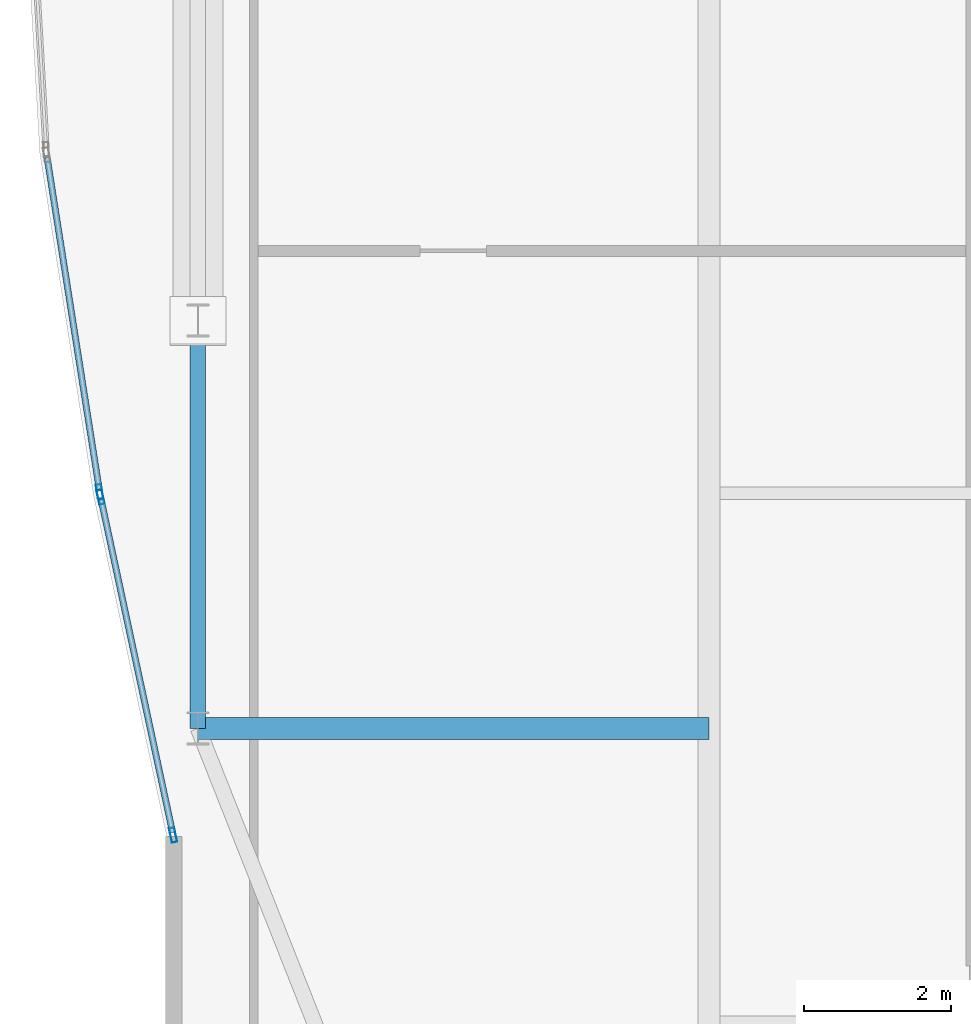
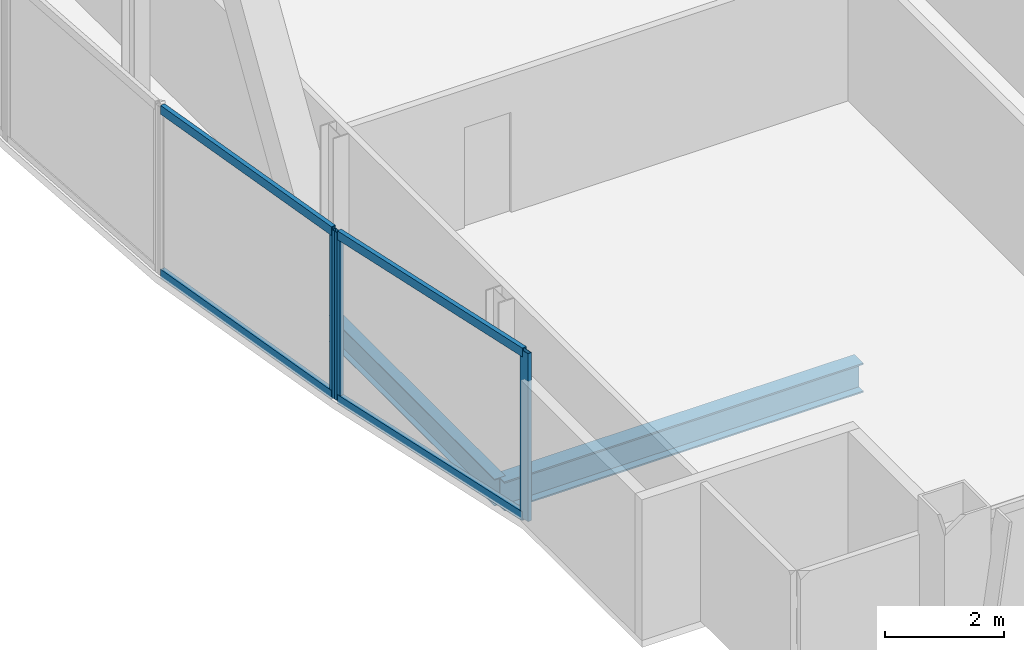
# One storey, part 5 of 29: 7 members, 2 beams, 2 elements without a shape of their own.
"""IFC4 building model written with IfcOpenShell, lengths in metres."""

from ifc_helpers import new_model, si_unit, direction, frame, origin, origin_2d, place, context, subcontext, project, spatial, hollow_rectangle, i_section, extrude, material, material_profile, profile_set, type_object, element, aggregate, save


model = new_model("IFC4")

# Units and contexts
model_context = context("Model", 3, precision=1e-05, world=origin(), true_north=direction((0.0, 1.0)))
body_context = subcontext(model_context, "Body", "Model", "MODEL_VIEW")
ifc_project = project(units=[si_unit("LENGTHUNIT", "METRE"), si_unit("AREAUNIT", "SQUARE_METRE"), si_unit("VOLUMEUNIT", "CUBIC_METRE"), si_unit("PLANEANGLEUNIT", "RADIAN"), si_unit("MASSUNIT", "GRAM", prefix="KILO")], contexts=[model_context])

# Site, building, storey
site_placement = place(None, origin())
site = spatial("IfcSite", under=ifc_project, at=site_placement, CompositionType="ELEMENT")
building_placement = place(site_placement, origin())
building = spatial("IfcBuilding", under=site, at=building_placement, Name="Khoronbel Lancet Exchange", CompositionType="ELEMENT")
storey_placement = place(building_placement, frame((0.0, 0.0, 314.60009765625)))
storey = spatial("IfcBuildingStorey", under=building, at=storey_placement, Name="L81", CompositionType="ELEMENT", Elevation=314.60009765625)

# Beams
ifc_material_1 = material(Name="Steel S355", Category="steel")
ifc_material_profile_1 = material_profile(ifc_material_1, i_section(OverallWidth=0.300048828125, OverallDepth=0.60009765625, WebThickness=0.015380859375, FlangeThickness=0.030029296875, at=origin_2d()), Name="HEB 600")
ifc_profile_set_1 = profile_set([ifc_material_profile_1], Name="Steel S355")
beam_type_1 = type_object("IfcBeamType", Name="BM-BG5", PredefinedType="BEAM", material=ifc_profile_set_1)
beam_1_placement = place(storey_placement, frame((11.27001953125, 19.199951171875, -0.460205078125), z_axis=(1.0, 0.0, 0.0), x_axis=(0.0, 1.0, 0.0)))
element("IfcBeam", 1, at=beam_1_placement, inside=storey, type_object=beam_type_1, Name="Level L81 west lens tie girder LG1W", PredefinedType="BEAM", context=body_context, shape_type="SweptSolid", body=[
    extrude(i_section(OverallWidth=0.300048828125, OverallDepth=0.60009765625, WebThickness=0.015380859375, FlangeThickness=0.030029296875, at=origin_2d()), origin(), (0.0, 0.0, 1.0), 6.955078125),
])
ifc_material_profile_2 = material_profile(ifc_material_1, i_section(OverallWidth=0.2099609375, OverallDepth=0.550048828125, WebThickness=0.010986328125, FlangeThickness=0.01708984375, at=origin_2d()), Name="IPE 550")
ifc_profile_set_2 = profile_set([ifc_material_profile_2], Name="Steel S355")
beam_type_2 = type_object("IfcBeamType", Name="BM-BSP3", PredefinedType="SPANDREL", material=ifc_profile_set_2)
beam_2_placement = place(storey_placement, frame((11.27001953125, 24.75, -0.43505859375), z_axis=(0.0, -1.0, 0.0), x_axis=(1.0, 0.0, 0.0)))
element("IfcBeam", 2, at=beam_2_placement, inside=storey, type_object=beam_type_2, Name="Level L81 perimeter spandrel beam SP17", PredefinedType="SPANDREL", context=body_context, shape_type="SweptSolid", body=[
    extrude(i_section(OverallWidth=0.2099609375, OverallDepth=0.550048828125, WebThickness=0.010986328125, FlangeThickness=0.01708984375, at=origin_2d()), origin(), (0.0, 0.0, 1.0), 5.550048828125),
])

# Curtain wall, members
ifc_material_2 = material(Name="Low-E Solar Control Insulating Glass", Category="glass")
curtain_wall_type = type_object("IfcCurtainWallType", Name="CW-4", PredefinedType="NOTDEFINED", material=ifc_material_2)
curtain_wall_1_placement = place(storey_placement, origin())
curtain_wall_1 = element("IfcCurtainWall", 3, at=curtain_wall_1_placement, inside=storey, type_object=curtain_wall_type, Name="Unitised curtain wall CW-L81-E04", PredefinedType="NOTDEFINED")
ifc_material_3 = material(Name="Bronze-Anodised Aluminium 6063-T6", Category="aluminium")
ifc_material_profile_3 = material_profile(ifc_material_3, hollow_rectangle(XDim=0.074951171875, YDim=0.199951171875, WallThickness=0.0048828125, at=origin_2d()), Name="ALU MULLION 75x200")
ifc_profile_set_3 = profile_set([ifc_material_profile_3], Name="Bronze-Anodised Aluminium 6063-T6")
member_type_1 = type_object("IfcMemberType", Name="MEM-CWM2", PredefinedType="MULLION", material=ifc_profile_set_3)
member_1_placement = place(storey_placement, frame((10.93212890625, 17.74609375, 0.0), z_axis=(0.0, 0.0, 1.0), x_axis=(-0.977746046147, -0.209791966588, 0.0)))
member_1 = element("IfcMember", 4, at=member_1_placement, type_object=member_type_1, Name="CW4 mullion 1", PredefinedType="MULLION", context=body_context, shape_type="SweptSolid", body=[
    extrude(hollow_rectangle(XDim=0.074951171875, YDim=0.199951171875, WallThickness=0.0048828125, at=origin_2d()), origin(), (0.0, 0.0, 1.0), 3.43994140625),
])
member_2_placement = place(storey_placement, frame((9.945068359375, 22.346435546875, 0.0), z_axis=(0.0, 0.0, 1.0), x_axis=(-0.977746046147, -0.209791966588, 0.0)))
member_2 = element("IfcMember", 5, at=member_2_placement, type_object=member_type_1, Name="CW4 mullion 2", PredefinedType="MULLION", context=body_context, shape_type="SweptSolid", body=[
    extrude(hollow_rectangle(XDim=0.074951171875, YDim=0.199951171875, WallThickness=0.0048828125, at=origin_2d()), origin(), (0.0, 0.0, 1.0), 3.43994140625),
])

# Curtain wall, member
curtain_wall_2_placement = place(storey_placement, origin())
curtain_wall_2 = element("IfcCurtainWall", 6, at=curtain_wall_2_placement, inside=storey, type_object=curtain_wall_type, Name="Unitised curtain wall CW-L81-E05", PredefinedType="NOTDEFINED")
member_3_placement = place(storey_placement, frame((9.931396484375, 22.420166015625, 0.0), z_axis=(0.0, 0.0, 1.0), x_axis=(-0.987888641158, -0.155164534193, 0.0)))
member_3 = element("IfcMember", 7, at=member_3_placement, type_object=member_type_1, Name="CW4 mullion 1", PredefinedType="MULLION", context=body_context, shape_type="SweptSolid", body=[
    extrude(hollow_rectangle(XDim=0.074951171875, YDim=0.199951171875, WallThickness=0.0048828125, at=origin_2d()), origin(), (0.0, 0.0, 1.0), 3.43994140625),
])

# Member
ifc_material_profile_4 = material_profile(ifc_material_3, hollow_rectangle(XDim=0.0849609375, YDim=0.179931640625, WallThickness=0.0048828125, at=origin_2d()), Name="ALU TRANSOM 85x180")
ifc_profile_set_4 = profile_set([ifc_material_profile_4], Name="Bronze-Anodised Aluminium 6063-T6")
member_type_2 = type_object("IfcMemberType", Name="MEM-CWT1", PredefinedType="USERDEFINED", material=ifc_profile_set_4)
member_4_placement = place(storey_placement, frame((10.92431640625, 17.78271484375, 0.04248046875), z_axis=(-0.209806354595, 0.977742958845, 0.0), x_axis=(-0.977742958845, -0.209806354595, 0.0)))
member_4 = element("IfcMember", 8, at=member_4_placement, type_object=member_type_2, Name="CW4 transom 1.1", ObjectType="TRANSOM", PredefinedType="USERDEFINED", context=body_context, shape_type="SweptSolid", body=[
    extrude(hollow_rectangle(XDim=0.0849609375, YDim=0.179931640625, WallThickness=0.0048828125, at=origin_2d()), origin(), (0.0, 0.0, 1.0), 4.630126953125),
])

member_5_placement = place(storey_placement, frame((10.92431640625, 17.78271484375, 3.3974609375), z_axis=(-0.209806354595, 0.977742958845, 0.0), x_axis=(-0.977742958845, -0.209806354595, 0.0)))
member_5 = element("IfcMember", 9, at=member_5_placement, type_object=member_type_2, Name="CW4 transom 1.2", ObjectType="TRANSOM", PredefinedType="USERDEFINED", context=body_context, shape_type="SweptSolid", body=[
    extrude(hollow_rectangle(XDim=0.0849609375, YDim=0.179931640625, WallThickness=0.0048828125, at=origin_2d()), origin(), (0.0, 0.0, 1.0), 4.630126953125),
])

aggregate(curtain_wall_1, [member_1, member_2, member_4, member_5])

member_6_placement = place(storey_placement, frame((9.925537109375, 22.457275390625, 0.04248046875), z_axis=(-0.15514168783, 0.987892229293, 0.0), x_axis=(-0.987892229293, -0.15514168783, 0.0)))
member_6 = element("IfcMember", 10, at=member_6_placement, type_object=member_type_2, Name="CW4 transom 1.1", ObjectType="TRANSOM", PredefinedType="USERDEFINED", context=body_context, shape_type="SweptSolid", body=[
    extrude(hollow_rectangle(XDim=0.0849609375, YDim=0.179931640625, WallThickness=0.0048828125, at=origin_2d()), origin(), (0.0, 0.0, 1.0), 4.566650390625),
])

member_7_placement = place(storey_placement, frame((9.925537109375, 22.457275390625, 3.3974609375), z_axis=(-0.15514168783, 0.987892229293, 0.0), x_axis=(-0.987892229293, -0.15514168783, 0.0)))
member_7 = element("IfcMember", 11, at=member_7_placement, type_object=member_type_2, Name="CW4 transom 1.2", ObjectType="TRANSOM", PredefinedType="USERDEFINED", context=body_context, shape_type="SweptSolid", body=[
    extrude(hollow_rectangle(XDim=0.0849609375, YDim=0.179931640625, WallThickness=0.0048828125, at=origin_2d()), origin(), (0.0, 0.0, 1.0), 4.566650390625),
])

aggregate(curtain_wall_2, [member_3, member_6, member_7])

save(model, "model.ifc")
